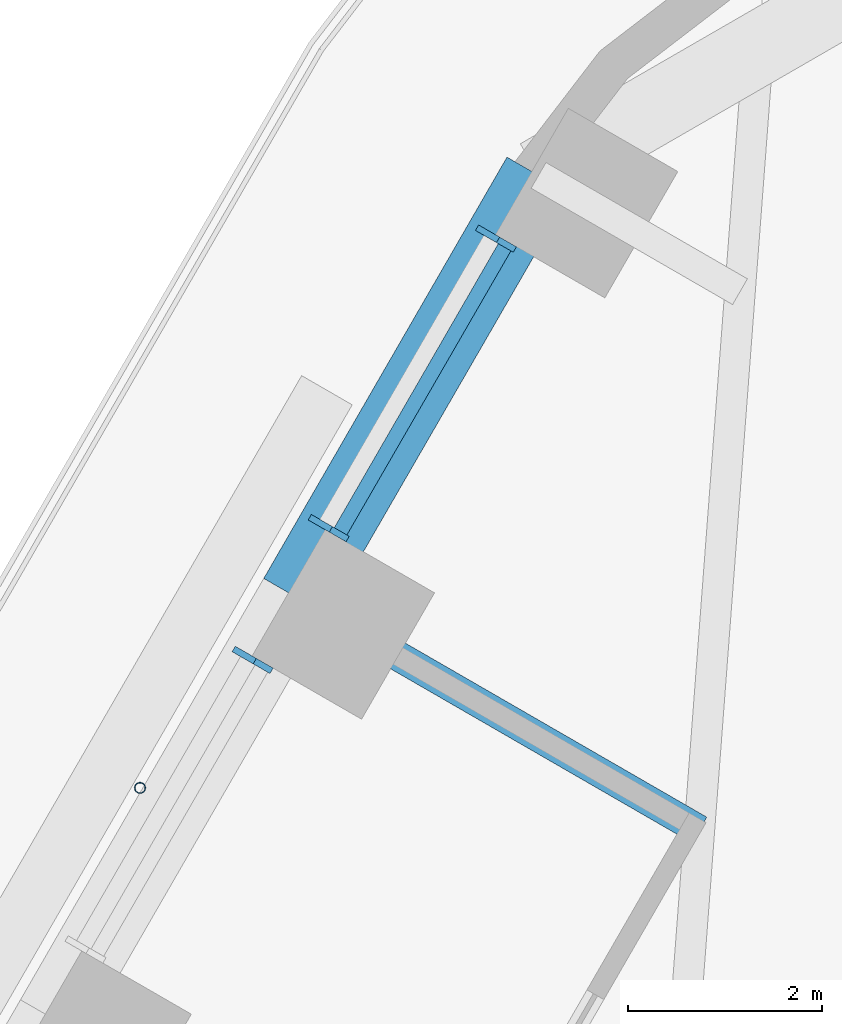
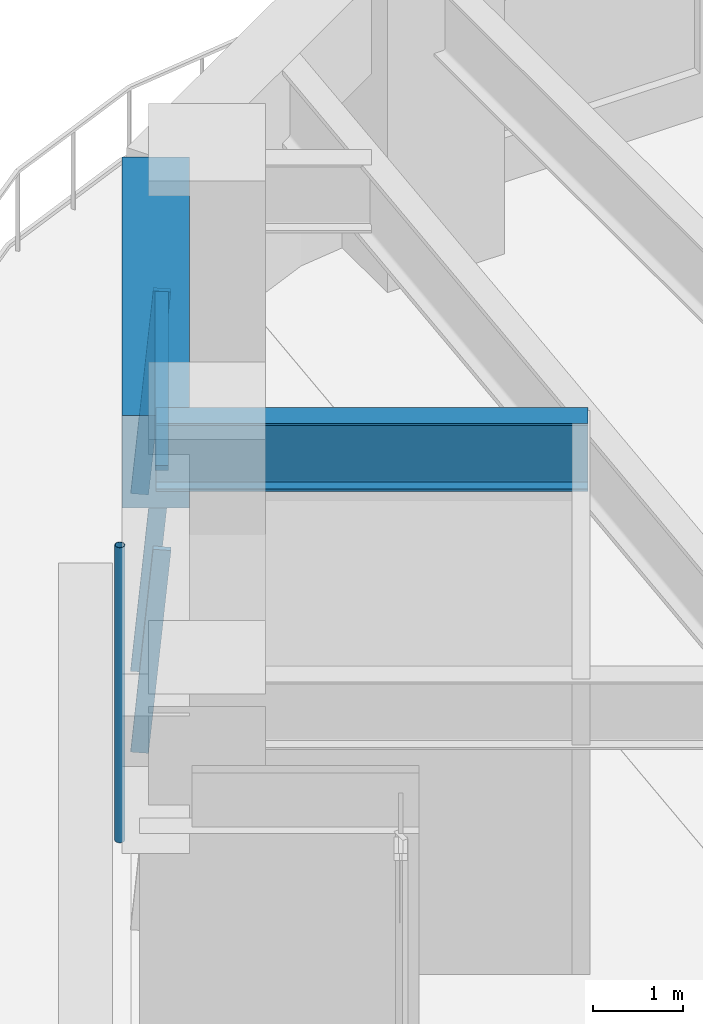
# One storey, part 9 of 24: 5 members, 2 beams, 2 elements without a shape of their own.
"""IFC4 building model written with IfcOpenShell, lengths in metres."""

from ifc_helpers import new_model, si_unit, direction, frame, origin, origin_2d, place, context, subcontext, project, spatial, rectangle, hollow_circle, i_section, extrude, material, material_profile, profile_set, type_object, element, aggregate, save


model = new_model("IFC4")

# Units and contexts
model_context = context("Model", 3, precision=1e-05, world=origin(), true_north=direction((0.0, 1.0)))
body_context = subcontext(model_context, "Body", "Model", "MODEL_VIEW")
ifc_project = project(units=[si_unit("LENGTHUNIT", "METRE"), si_unit("AREAUNIT", "SQUARE_METRE"), si_unit("VOLUMEUNIT", "CUBIC_METRE"), si_unit("PLANEANGLEUNIT", "RADIAN"), si_unit("MASSUNIT", "GRAM", prefix="KILO")], contexts=[model_context])

# Site, building, storey
site_placement = place(None, origin())
site = spatial("IfcSite", under=ifc_project, at=site_placement, CompositionType="ELEMENT")
building_placement = place(site_placement, origin())
building = spatial("IfcBuilding", under=site, at=building_placement, Name="Tarfa Lantern Tower", CompositionType="ELEMENT")
storey_placement = place(building_placement, frame((0.0, 0.0, 195.10009765625)))
storey = spatial("IfcBuildingStorey", under=building, at=storey_placement, Name="L44", CompositionType="ELEMENT", Elevation=195.10009765625)

# Curtain wall, members
ifc_material_1 = material(Name="Aluminium framed curtain wall", Category="aluminium")
curtain_wall_type = type_object("IfcCurtainWallType", Name="CW2 CANTED GLAZING MID ZONE 2750", PredefinedType="USERDEFINED", material=ifc_material_1)
curtain_wall_1_placement = place(storey_placement, origin())
curtain_wall_1 = element("IfcCurtainWall", 1, at=curtain_wall_1_placement, inside=storey, type_object=curtain_wall_type, Name="CW2 NW L44", ObjectType="CURTAIN WALL", PredefinedType="USERDEFINED")
ifc_material_2 = material(Name="Aluminium mullion", Category="aluminium")
ifc_material_profile_1 = material_profile(ifc_material_2, rectangle(XDim=0.06494140625, YDim=0.199951171875, at=origin_2d()), Name="AL MULLION 65x200")
ifc_profile_set_1 = profile_set([ifc_material_profile_1], Name="Aluminium mullion")
member_type_1 = type_object("IfcMemberType", Name="CWM1 MULLION 65x200", PredefinedType="MULLION", material=ifc_profile_set_1)
member_1_placement = place(storey_placement, frame((-20.078857421875, 28.022216796875, 0.0), z_axis=(0.078422950161, -0.045267813396, 0.995891894715), x_axis=(0.499919672301, 0.866071776036, 0.0)))
member_1 = element("IfcMember", 2, at=member_1_placement, type_object=member_type_1, Name="CW2 mullion 1", PredefinedType="MULLION", context=body_context, shape_type="SweptSolid", body=[
    extrude(rectangle(XDim=0.06494140625, YDim=0.199951171875, at=origin_2d()), origin(), (0.0, 0.0, 1.0), 2.76123046875),
])
member_2_placement = place(storey_placement, frame((-21.79833984375, 25.04443359375, 0.0), z_axis=(0.078422950161, -0.045267813396, 0.995891894715), x_axis=(0.499919672301, 0.866071776036, 0.0)))
member_2 = element("IfcMember", 3, at=member_2_placement, type_object=member_type_1, Name="CW2 mullion 2", PredefinedType="MULLION", context=body_context, shape_type="SweptSolid", body=[
    extrude(rectangle(XDim=0.06494140625, YDim=0.199951171875, at=origin_2d()), origin(), (0.0, 0.0, 1.0), 2.76123046875),
])

# Curtain wall, member
curtain_wall_2_placement = place(storey_placement, origin())
curtain_wall_2 = element("IfcCurtainWall", 4, at=curtain_wall_2_placement, inside=storey, type_object=curtain_wall_type, Name="CW2 NW L44", ObjectType="CURTAIN WALL", PredefinedType="USERDEFINED")
member_3_placement = place(storey_placement, frame((-22.580810546875, 23.68896484375, 0.0), z_axis=(0.078422950161, -0.045267813396, 0.995891894715), x_axis=(0.499919672301, 0.866071776036, 0.0)))
member_3 = element("IfcMember", 5, at=member_3_placement, type_object=member_type_1, Name="CW2 mullion 1", PredefinedType="MULLION", context=body_context, shape_type="SweptSolid", body=[
    extrude(rectangle(XDim=0.06494140625, YDim=0.199951171875, at=origin_2d()), origin(), (0.0, 0.0, 1.0), 2.76123046875),
])
aggregate(curtain_wall_2, [member_3])

# Member
ifc_material_3 = material(Name="Aluminium transom", Category="aluminium")
ifc_material_profile_2 = material_profile(ifc_material_3, rectangle(XDim=0.14990234375, YDim=0.06494140625, at=origin_2d()), Name="AL TRANSOM 150x65")
ifc_profile_set_2 = profile_set([ifc_material_profile_2], Name="Aluminium transom")
member_type_2 = type_object("IfcMemberType", Name="CWT1 TRANSOM 150x65", PredefinedType="USERDEFINED", material=ifc_profile_set_2)
member_4_placement = place(storey_placement, frame((-19.881103515625, 27.87060546875, 2.71728515625), z_axis=(-0.500046095904, -0.865998788666, 0.0), x_axis=(0.865998788666, -0.500046095904, 0.0)))
member_4 = element("IfcMember", 6, at=member_4_placement, type_object=member_type_2, Name="CW2 transom 1.2", ObjectType="TRANSOM", PredefinedType="USERDEFINED", context=body_context, shape_type="SweptSolid", body=[
    extrude(rectangle(XDim=0.14990234375, YDim=0.06494140625, at=origin_2d()), origin(), (0.0, 0.0, 1.0), 3.373779296875),
])

aggregate(curtain_wall_1, [member_1, member_2, member_4])

# Beam
ifc_material_4 = material(Name="Concrete C80/95", Category="concrete")
ifc_material_profile_3 = material_profile(ifc_material_4, rectangle(XDim=0.75, YDim=1.25, at=origin_2d()), Name="RC 750x1250")
ifc_profile_set_3 = profile_set([ifc_material_profile_3], Name="Concrete C80/95")
beam_type_1 = type_object("IfcBeamType", Name="EB2 RC 750x1250", PredefinedType="SPANDREL", material=ifc_profile_set_3)
beam_1_placement = place(storey_placement, frame((-19.53173828125, 28.610107421875, 3.375), z_axis=(-0.500001197378, -0.866024712477, 0.0), x_axis=(0.866024712477, -0.500001197378, 0.0)))
element("IfcBeam", 7, at=beam_1_placement, inside=storey, type_object=beam_type_1, Name="Edge beam NW0", PredefinedType="SPANDREL", context=body_context, shape_type="SweptSolid", body=[
    extrude(rectangle(XDim=0.75, YDim=1.25, at=origin_2d()), origin(), (0.0, 0.0, 1.0), 5.00390625),
])

# Member
ifc_material_5 = material(Name="Steel S355", Category="steel")
ifc_material_profile_4 = material_profile(ifc_material_5, hollow_circle(Radius=0.05712890625, WallThickness=0.00634765625, at=origin_2d()), Name="CHS114.3x6.3")
ifc_profile_set_4 = profile_set([ifc_material_profile_4], Name="Steel S355")
member_type_3 = type_object("IfcMemberType", Name="TR1 GREEN WALL TRELLIS CHS114.3x6.3", PredefinedType="USERDEFINED", material=ifc_profile_set_4)
member_5_placement = place(storey_placement, frame((-23.630859375, 22.31005859375, 0.0), z_axis=(0.0, 0.0, 1.0), x_axis=(1.0, 0.0, 0.0)))
element("IfcMember", 8, at=member_5_placement, inside=storey, type_object=member_type_3, Name="Trellis post NW 1", ObjectType="TRELLIS", PredefinedType="USERDEFINED", context=body_context, shape_type="SweptSolid", body=[
    extrude(hollow_circle(Radius=0.05712890625, WallThickness=0.00634765625, at=origin_2d()), origin(), (0.0, 0.0, 1.0), 4.0),
])

# Beam
ifc_material_6 = material(Name="Steel S460M", Category="steel")
ifc_material_profile_5 = material_profile(ifc_material_6, i_section(OverallWidth=0.305419921875, OverallDepth=0.91845703125, WebThickness=0.017333984375, FlangeThickness=0.02783203125, FilletRadius=0.01904296875, at=origin_2d()), Name="UB914x305x253")
ifc_profile_set_5 = profile_set([ifc_material_profile_5], Name="Steel S460M")
beam_type_2 = type_object("IfcBeamType", Name="UB914x305x253", PredefinedType="BEAM", material=ifc_profile_set_5)
beam_2_placement = place(storey_placement, frame((-22.03369140625, 24.276611328125, 3.540771484375), z_axis=(0.866030550462, -0.499991085587, 0.0), x_axis=(0.499991085587, 0.866030550462, 0.0)))
element("IfcBeam", 9, at=beam_2_placement, inside=storey, type_object=beam_type_2, Name="Floor beam NW1", PredefinedType="BEAM", context=body_context, shape_type="SweptSolid", body=[
    extrude(i_section(OverallWidth=0.305419921875, OverallDepth=0.91845703125, WebThickness=0.017333984375, FlangeThickness=0.02783203125, FilletRadius=0.01904296875, at=origin_2d()), origin(), (0.0, 0.0, 1.0), 4.798828125),
])

save(model, "model.ifc")
